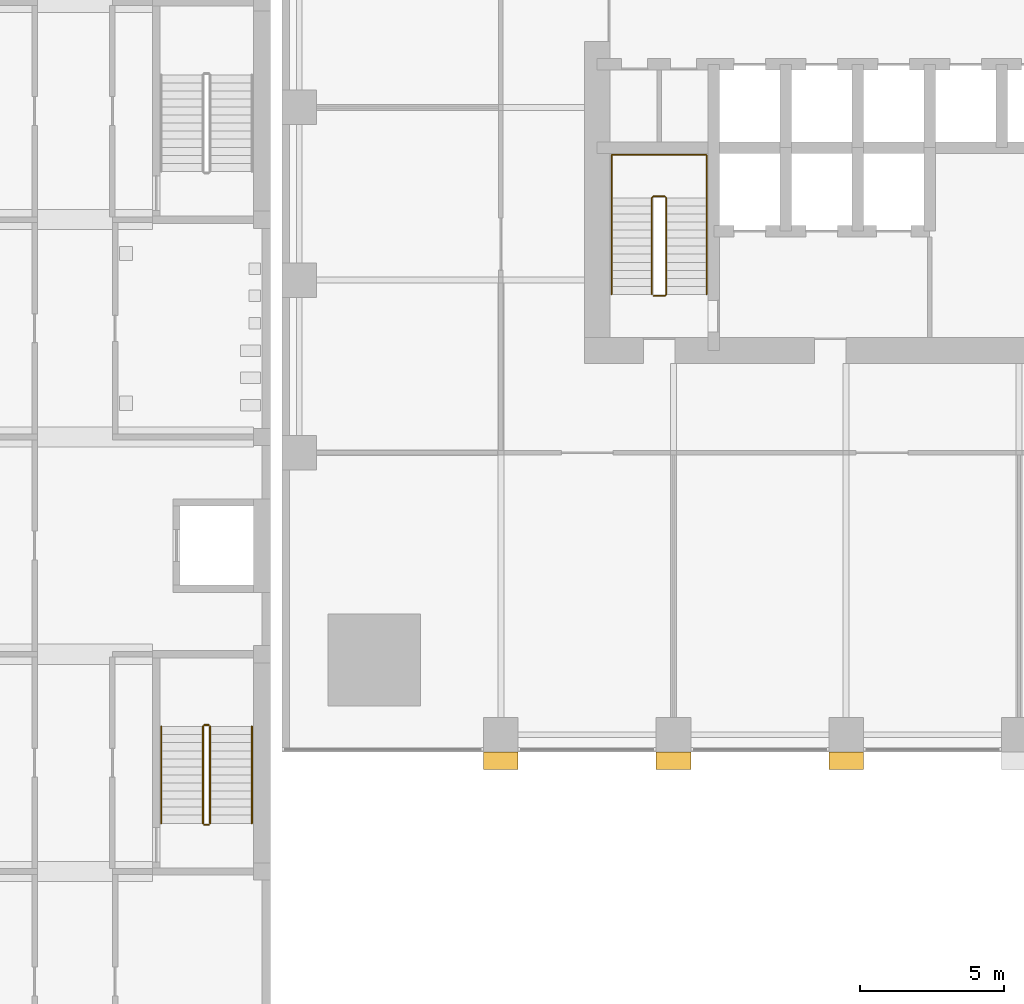
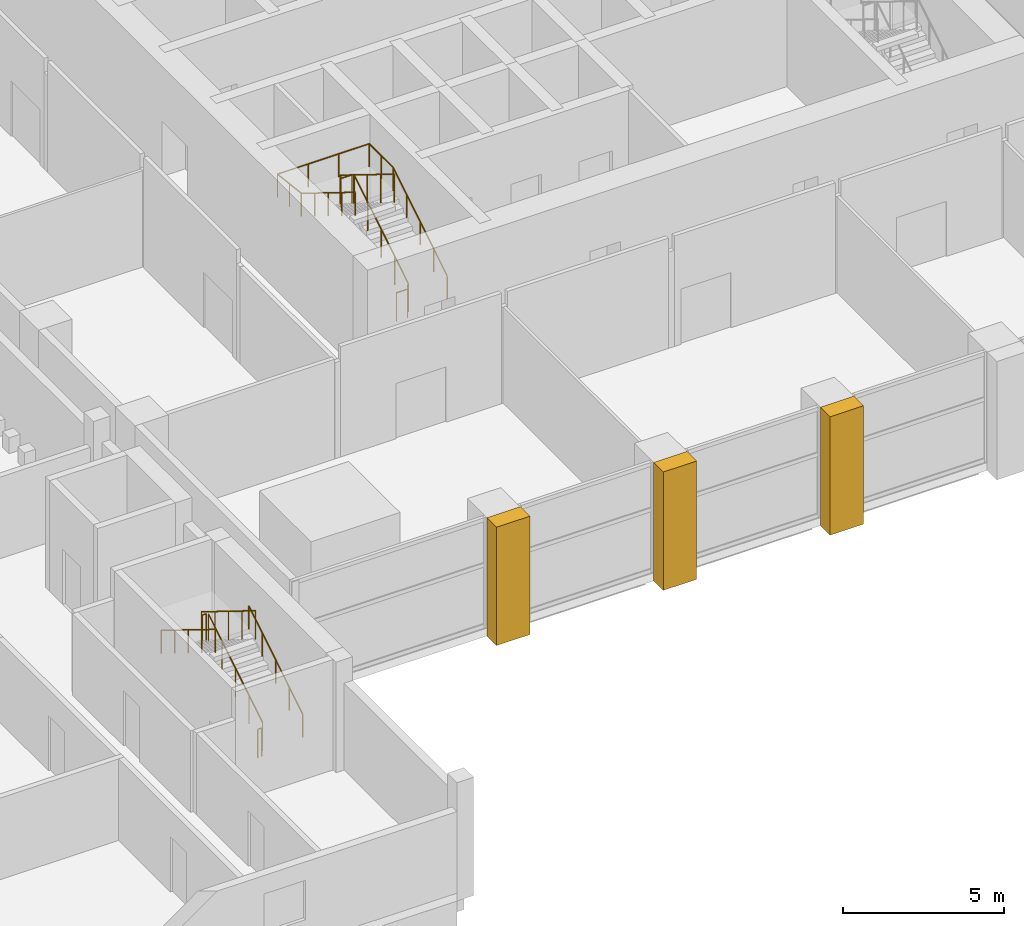
# One storey, part 29 of 34: 8 railings, 3 coverings.
"""IFC4 building model written with IfcOpenShell, lengths in metres."""

from ifc_helpers import new_model, si_unit, direction, frame, origin, origin_2d, place, context, subcontext, project, spatial, polyline, circle, outline, extrude, material, layer, layer_set, type_object, element, save


model = new_model("IFC4")

# Units and contexts
model_context = context("Model", 3, precision=1e-05, world=origin(), true_north=direction((0.0, 1.0)))
body_context = subcontext(model_context, "Body", "Model", "MODEL_VIEW")
ifc_project = project(units=[si_unit("LENGTHUNIT", "METRE"), si_unit("AREAUNIT", "SQUARE_METRE"), si_unit("VOLUMEUNIT", "CUBIC_METRE"), si_unit("PLANEANGLEUNIT", "RADIAN"), si_unit("MASSUNIT", "GRAM", prefix="KILO")], contexts=[model_context])

# Site, building, storey
site_placement = place(None, origin())
site = spatial("IfcSite", under=ifc_project, at=site_placement, CompositionType="ELEMENT")
building_placement = place(site_placement, origin())
building = spatial("IfcBuilding", under=site, at=building_placement, Name="Amberfall Residences", CompositionType="ELEMENT")
storey_placement = place(building_placement, frame((0.0, 0.0, 5.5)))
storey = spatial("IfcBuildingStorey", under=building, at=storey_placement, Name="L01", CompositionType="ELEMENT", Elevation=5.5)

# Coverings
ifc_material_1 = material(Name="Pale stone cladding on insulated backing", Category="masonry")
ifc_layer = layer(ifc_material_1, 1.199951171875)
ifc_layer_set = layer_set([ifc_layer], Name="Podium stone pier 1200 x 600")
covering_type = type_object("IfcCoveringType", Name="Podium stone pier 1200 x 600", PredefinedType="CLADDING", material=ifc_layer_set)
covering_1_placement = place(storey_placement, frame((0.0, 0.0, -0.300048828125)))
element("IfcCovering", 1, at=covering_1_placement, inside=storey, type_object=covering_type, Name="Podium pier L01 S1", PredefinedType="CLADDING", context=body_context, shape_type="SweptSolid", body=[
    extrude(outline(polyline([(59.0, 20.0), (60.199951171875, 20.0), (60.199951171875, 19.39990234375), (59.0, 19.39990234375), (59.0, 20.0)])), origin(), (0.0, 0.0, 1.0), 4.5),
])
covering_2_placement = place(storey_placement, frame((0.0, 0.0, -0.300048828125)))
element("IfcCovering", 2, at=covering_2_placement, inside=storey, type_object=covering_type, Name="Podium pier L01 S2", PredefinedType="CLADDING", context=body_context, shape_type="SweptSolid", body=[
    extrude(outline(polyline([(65.0, 20.0), (66.199951171875, 20.0), (66.199951171875, 19.39990234375), (65.0, 19.39990234375), (65.0, 20.0)])), origin(), (0.0, 0.0, 1.0), 4.5),
])
covering_3_placement = place(storey_placement, frame((0.0, 0.0, -0.300048828125)))
element("IfcCovering", 3, at=covering_3_placement, inside=storey, type_object=covering_type, Name="Podium pier L01 S3", PredefinedType="CLADDING", context=body_context, shape_type="SweptSolid", body=[
    extrude(outline(polyline([(71.0, 20.0), (72.199951171875, 20.0), (72.199951171875, 19.39990234375), (71.0, 19.39990234375), (71.0, 20.0)])), origin(), (0.0, 0.0, 1.0), 4.5),
])

# Railings
ifc_material_2 = material(Name="Stainless steel", Category="steel")
railing_type_1 = type_object("IfcRailingType", Name="School stair guard 1100", PredefinedType="GUARDRAIL", material=ifc_material_2)
railing_1_placement = place(storey_placement, frame((49.5, 17.52490234375, 0.173095703125)))
element("IfcRailing", 4, at=railing_1_placement, inside=storey, type_object=railing_type_1, Name="L01 SS1 stair guard 1", PredefinedType="GUARDRAIL", context=body_context, shape_type="SweptSolid", body=[
    extrude(circle(Radius=0.02392578125, at=origin_2d()), frame((0.0, 0.0, 1.076171875), z_axis=(0.0, 0.850623216509, 0.525775754039), x_axis=(-1.0, 0.0, 0.0)), (0.0, 0.0, 1.0), 3.9501953125),
    extrude(circle(Radius=0.02099609375, at=origin_2d()), origin(), (0.0, 0.0, 1.0), 1.052001953125),
    extrude(circle(Radius=0.02099609375, at=origin_2d()), frame((0.0, 0.840087890625, 0.519287109375)), (0.0, 0.0, 1.0), 1.052001953125),
    extrude(circle(Radius=0.02099609375, at=origin_2d()), frame((0.0, 1.68017578125, 1.03857421875)), (0.0, 0.0, 1.0), 1.052001953125),
    extrude(circle(Radius=0.02099609375, at=origin_2d()), frame((0.0, 2.52001953125, 1.5576171875)), (0.0, 0.0, 1.0), 1.052001953125),
    extrude(circle(Radius=0.02099609375, at=origin_2d()), frame((0.0, 3.360107421875, 2.076904296875)), (0.0, 0.0, 1.0), 1.052001953125),
])
railing_2_placement = place(storey_placement, frame((49.449951171875, 20.93505859375, 2.25)))
element("IfcRailing", 5, at=railing_2_placement, inside=storey, type_object=railing_type_1, Name="L01 SS1 stair guard 2", PredefinedType="GUARDRAIL", context=body_context, shape_type="SweptSolid", body=[
    extrude(circle(Radius=0.02392578125, at=origin_2d()), frame((0.0, 0.0, 1.076171875), z_axis=(-1.0, 0.0, 0.0), x_axis=(0.0, -1.0, 0.0)), (0.0, 0.0, 1.0), 0.14990234375),
    extrude(circle(Radius=0.02099609375, at=origin_2d()), origin(), (0.0, 0.0, 1.0), 1.052001953125),
    extrude(circle(Radius=0.02099609375, at=origin_2d()), frame((-0.14990234375, 0.0, 0.0)), (0.0, 0.0, 1.0), 1.052001953125),
])
railing_3_placement = place(storey_placement, frame((49.25, 20.885009765625, 2.423095703125)))
element("IfcRailing", 6, at=railing_3_placement, inside=storey, type_object=railing_type_1, Name="L01 SS1 stair guard 3", PredefinedType="GUARDRAIL", context=body_context, shape_type="SweptSolid", body=[
    extrude(circle(Radius=0.02392578125, at=origin_2d()), frame((0.0, 0.0, 1.076171875), z_axis=(0.0, -0.850623216509, 0.525775754039), x_axis=(1.0, 0.0, 0.0)), (0.0, 0.0, 1.0), 3.9501953125),
    extrude(circle(Radius=0.02099609375, at=origin_2d()), origin(), (0.0, 0.0, 1.0), 1.052001953125),
    extrude(circle(Radius=0.02099609375, at=origin_2d()), frame((0.0, -0.840087890625, 0.519287109375)), (0.0, 0.0, 1.0), 1.052001953125),
    extrude(circle(Radius=0.02099609375, at=origin_2d()), frame((0.0, -1.68017578125, 1.03857421875)), (0.0, 0.0, 1.0), 1.052001953125),
    extrude(circle(Radius=0.02099609375, at=origin_2d()), frame((0.0, -2.52001953125, 1.5576171875)), (0.0, 0.0, 1.0), 1.052001953125),
    extrude(circle(Radius=0.02099609375, at=origin_2d()), frame((0.0, -3.360107421875, 2.076904296875)), (0.0, 0.0, 1.0), 1.052001953125),
])
railing_4_placement = place(storey_placement, frame((49.449951171875, 17.47509765625, 0.0)))
element("IfcRailing", 7, at=railing_4_placement, inside=storey, type_object=railing_type_1, Name="L01 SS1 stair guard 4", PredefinedType="GUARDRAIL", context=body_context, shape_type="SweptSolid", body=[
    extrude(circle(Radius=0.02392578125, at=origin_2d()), frame((0.0, 0.0, 1.076171875), z_axis=(-1.0, 0.0, 0.0), x_axis=(0.0, -1.0, 0.0)), (0.0, 0.0, 1.0), 0.14990234375),
    extrude(circle(Radius=0.02099609375, at=origin_2d()), origin(), (0.0, 0.0, 1.0), 1.052001953125),
    extrude(circle(Radius=0.02099609375, at=origin_2d()), frame((-0.14990234375, 0.0, 0.0)), (0.0, 0.0, 1.0), 1.052001953125),
])
railing_type_2 = type_object("IfcRailingType", Name="School stair handrail", PredefinedType="HANDRAIL", material=ifc_material_2)
railing_5_placement = place(storey_placement, frame((50.949951171875, 17.52490234375, 0.173095703125)))
element("IfcRailing", 8, at=railing_5_placement, inside=storey, type_object=railing_type_2, Name="L01 SS1 stair handrail 1", PredefinedType="HANDRAIL", context=body_context, shape_type="SweptSolid", body=[
    extrude(circle(Radius=0.02392578125, at=origin_2d()), frame((0.0, 0.0, 0.8759765625), z_axis=(0.0, 0.850623216509, 0.525775754039), x_axis=(-1.0, 0.0, 0.0)), (0.0, 0.0, 1.0), 3.9501953125),
    extrude(circle(Radius=0.02099609375, at=origin_2d()), origin(), (0.0, 0.0, 1.0), 0.851806640625),
    extrude(circle(Radius=0.02099609375, at=origin_2d()), frame((0.0, 0.840087890625, 0.519287109375)), (0.0, 0.0, 1.0), 0.851806640625),
    extrude(circle(Radius=0.02099609375, at=origin_2d()), frame((0.0, 1.68017578125, 1.03857421875)), (0.0, 0.0, 1.0), 0.851806640625),
    extrude(circle(Radius=0.02099609375, at=origin_2d()), frame((0.0, 2.52001953125, 1.5576171875)), (0.0, 0.0, 1.0), 0.851806640625),
    extrude(circle(Radius=0.02099609375, at=origin_2d()), frame((0.0, 3.360107421875, 2.076904296875)), (0.0, 0.0, 1.0), 0.851806640625),
])
railing_6_placement = place(storey_placement, frame((47.800048828125, 20.885009765625, 2.423095703125)))
element("IfcRailing", 9, at=railing_6_placement, inside=storey, type_object=railing_type_2, Name="L01 SS1 stair handrail 2", PredefinedType="HANDRAIL", context=body_context, shape_type="SweptSolid", body=[
    extrude(circle(Radius=0.02392578125, at=origin_2d()), frame((0.0, 0.0, 0.8759765625), z_axis=(0.0, -0.850623216509, 0.525775754039), x_axis=(1.0, 0.0, 0.0)), (0.0, 0.0, 1.0), 3.9501953125),
    extrude(circle(Radius=0.02099609375, at=origin_2d()), origin(), (0.0, 0.0, 1.0), 0.851806640625),
    extrude(circle(Radius=0.02099609375, at=origin_2d()), frame((0.0, -0.840087890625, 0.519287109375)), (0.0, 0.0, 1.0), 0.851806640625),
    extrude(circle(Radius=0.02099609375, at=origin_2d()), frame((0.0, -1.68017578125, 1.03857421875)), (0.0, 0.0, 1.0), 0.851806640625),
    extrude(circle(Radius=0.02099609375, at=origin_2d()), frame((0.0, -2.52001953125, 1.5576171875)), (0.0, 0.0, 1.0), 0.851806640625),
    extrude(circle(Radius=0.02099609375, at=origin_2d()), frame((0.0, -3.360107421875, 2.076904296875)), (0.0, 0.0, 1.0), 0.851806640625),
])
ifc_material_3 = material(Name="Stainless steel 316", Category="steel")
railing_type_3 = type_object("IfcRailingType", Name="Stair guard 1100", PredefinedType="GUARDRAIL", material=ifc_material_3)
railing_7_placement = place(storey_placement, frame((64.89990234375, 35.85009765625, 0.0)))
element("IfcRailing", 10, at=railing_7_placement, inside=storey, type_object=railing_type_3, Name="L01 stair 1 guard", PredefinedType="GUARDRAIL", context=body_context, shape_type="SweptSolid", body=[
    extrude(circle(Radius=0.02392578125, at=origin_2d()), frame((0.0, 0.0, 1.076171875), z_axis=(1.0, 0.0, 0.0), x_axis=(0.0, 1.0, 0.0)), (0.0, 0.0, 1.0), 0.400146484375),
    extrude(circle(Radius=0.02392578125, at=origin_2d()), frame((0.400146484375, 0.0, 1.076171875), z_axis=(0.267723051232, 0.266417085129, 0.925929967433), x_axis=(-0.705375805398, 0.708833529934, 0.0)), (0.0, 0.0, 1.0), 0.18701171875),
    extrude(circle(Radius=0.02392578125, at=origin_2d()), frame((0.4501953125, 0.0498046875, 1.2490234375), z_axis=(0.0, 0.850623216509, 0.525775754039), x_axis=(-1.0, 0.0, 0.0)), (0.0, 0.0, 1.0), 3.9501953125),
    extrude(circle(Radius=0.02392578125, at=origin_2d()), frame((0.4501953125, 3.409912109375, 3.326171875), z_axis=(-0.707106781187, 0.707106781187, 0.0), x_axis=(-0.707106781187, -0.707106781187, 0.0)), (0.0, 0.0, 1.0), 0.07080078125),
    extrude(circle(Radius=0.02392578125, at=origin_2d()), frame((0.400146484375, 3.4599609375, 3.326171875), z_axis=(-1.0, 0.0, 0.0), x_axis=(0.0, -1.0, 0.0)), (0.0, 0.0, 1.0), 0.400146484375),
    extrude(circle(Radius=0.02392578125, at=origin_2d()), frame((0.0, 3.4599609375, 3.326171875), z_axis=(-0.266417085129, -0.267723051232, 0.925929967433), x_axis=(0.708833529934, -0.705375805398, 0.0)), (0.0, 0.0, 1.0), 0.18701171875),
    extrude(circle(Radius=0.02392578125, at=origin_2d()), frame((-0.0498046875, 3.409912109375, 3.4990234375), z_axis=(0.0, -0.850623216509, 0.525775754039), x_axis=(1.0, 0.0, 0.0)), (0.0, 0.0, 1.0), 3.9501953125),
    extrude(circle(Radius=0.02099609375, at=origin_2d()), origin(), (0.0, 0.0, 1.0), 1.052001953125),
    extrude(circle(Radius=0.02099609375, at=origin_2d()), frame((0.400146484375, 0.0, 0.0)), (0.0, 0.0, 1.0), 1.052001953125),
    extrude(circle(Radius=0.02099609375, at=origin_2d()), frame((0.4501953125, 0.0498046875, 0.173095703125)), (0.0, 0.0, 1.0), 1.052001953125),
    extrude(circle(Radius=0.02099609375, at=origin_2d()), frame((0.4501953125, 0.889892578125, 0.6923828125)), (0.0, 0.0, 1.0), 1.052001953125),
    extrude(circle(Radius=0.02099609375, at=origin_2d()), frame((0.4501953125, 1.72998046875, 1.21142578125)), (0.0, 0.0, 1.0), 1.052001953125),
    extrude(circle(Radius=0.02099609375, at=origin_2d()), frame((0.4501953125, 2.56982421875, 1.730712890625)), (0.0, 0.0, 1.0), 1.052001953125),
    extrude(circle(Radius=0.02099609375, at=origin_2d()), frame((0.4501953125, 3.409912109375, 2.25)), (0.0, 0.0, 1.0), 1.052001953125),
    extrude(circle(Radius=0.02099609375, at=origin_2d()), frame((0.400146484375, 3.4599609375, 2.25)), (0.0, 0.0, 1.0), 1.052001953125),
    extrude(circle(Radius=0.02099609375, at=origin_2d()), frame((0.0, 3.4599609375, 2.25)), (0.0, 0.0, 1.0), 1.052001953125),
    extrude(circle(Radius=0.02099609375, at=origin_2d()), frame((-0.0498046875, 3.409912109375, 2.423095703125)), (0.0, 0.0, 1.0), 1.052001953125),
    extrude(circle(Radius=0.02099609375, at=origin_2d()), frame((-0.0498046875, 2.56982421875, 2.9423828125)), (0.0, 0.0, 1.0), 1.052001953125),
    extrude(circle(Radius=0.02099609375, at=origin_2d()), frame((-0.0498046875, 1.72998046875, 3.46142578125)), (0.0, 0.0, 1.0), 1.052001953125),
    extrude(circle(Radius=0.02099609375, at=origin_2d()), frame((-0.0498046875, 0.889892578125, 3.980712890625)), (0.0, 0.0, 1.0), 1.052001953125),
    extrude(circle(Radius=0.02099609375, at=origin_2d()), frame((-0.0498046875, 0.0498046875, 4.5)), (0.0, 0.0, 1.0), 1.052001953125),
])
railing_type_4 = type_object("IfcRailingType", Name="Stair handrail 900", PredefinedType="HANDRAIL", material=ifc_material_3)
railing_8_placement = place(storey_placement, frame((66.75, 35.89990234375, 0.173095703125)))
element("IfcRailing", 11, at=railing_8_placement, inside=storey, type_object=railing_type_4, Name="L01 stair 1 handrail", PredefinedType="HANDRAIL", context=body_context, shape_type="SweptSolid", body=[
    extrude(circle(Radius=0.02392578125, at=origin_2d()), frame((0.0, 0.0, 0.8759765625), z_axis=(0.0, 0.850623216509, 0.525775754039), x_axis=(-1.0, 0.0, 0.0)), (0.0, 0.0, 1.0), 3.9501953125),
    extrude(circle(Radius=0.02392578125, at=origin_2d()), frame((0.0, 3.360107421875, 2.95263671875), z_axis=(0.0, 1.0, 0.0), x_axis=(-1.0, 0.0, 0.0)), (0.0, 0.0, 1.0), 1.489990234375),
    extrude(circle(Radius=0.02392578125, at=origin_2d()), frame((0.0, 4.85009765625, 2.95263671875), z_axis=(-1.0, 0.0, 0.0), x_axis=(0.0, -1.0, 0.0)), (0.0, 0.0, 1.0), 3.300048828125),
    extrude(circle(Radius=0.02392578125, at=origin_2d()), frame((-3.300048828125, 4.85009765625, 2.95263671875), z_axis=(0.0, -0.993319533971, 0.115396288642), x_axis=(1.0, 0.0, 0.0)), (0.0, 0.0, 1.0), 1.5),
    extrude(circle(Radius=0.02392578125, at=origin_2d()), frame((-3.300048828125, 3.360107421875, 3.1259765625), z_axis=(0.0, -0.850623216509, 0.525775754039), x_axis=(1.0, 0.0, 0.0)), (0.0, 0.0, 1.0), 3.9501953125),
    extrude(circle(Radius=0.02099609375, at=origin_2d()), origin(), (0.0, 0.0, 1.0), 0.851806640625),
    extrude(circle(Radius=0.02099609375, at=origin_2d()), frame((0.0, 0.840087890625, 0.519287109375)), (0.0, 0.0, 1.0), 0.851806640625),
    extrude(circle(Radius=0.02099609375, at=origin_2d()), frame((0.0, 1.68017578125, 1.03857421875)), (0.0, 0.0, 1.0), 0.851806640625),
    extrude(circle(Radius=0.02099609375, at=origin_2d()), frame((0.0, 2.52001953125, 1.5576171875)), (0.0, 0.0, 1.0), 0.851806640625),
    extrude(circle(Radius=0.02099609375, at=origin_2d()), frame((0.0, 3.360107421875, 2.076904296875)), (0.0, 0.0, 1.0), 0.851806640625),
    extrude(circle(Radius=0.02099609375, at=origin_2d()), frame((0.0, 4.10498046875, 2.076904296875)), (0.0, 0.0, 1.0), 0.851806640625),
    extrude(circle(Radius=0.02099609375, at=origin_2d()), frame((0.0, 4.85009765625, 2.076904296875)), (0.0, 0.0, 1.0), 0.851806640625),
    extrude(circle(Radius=0.02099609375, at=origin_2d()), frame((-1.10009765625, 4.85009765625, 2.076904296875)), (0.0, 0.0, 1.0), 0.851806640625),
    extrude(circle(Radius=0.02099609375, at=origin_2d()), frame((-2.199951171875, 4.85009765625, 2.076904296875)), (0.0, 0.0, 1.0), 0.851806640625),
    extrude(circle(Radius=0.02099609375, at=origin_2d()), frame((-3.300048828125, 4.85009765625, 2.076904296875)), (0.0, 0.0, 1.0), 0.851806640625),
    extrude(circle(Radius=0.02099609375, at=origin_2d()), frame((-3.300048828125, 4.10498046875, 2.16357421875)), (0.0, 0.0, 1.0), 0.851806640625),
    extrude(circle(Radius=0.02099609375, at=origin_2d()), frame((-3.300048828125, 3.360107421875, 2.25)), (0.0, 0.0, 1.0), 0.851806640625),
    extrude(circle(Radius=0.02099609375, at=origin_2d()), frame((-3.300048828125, 2.52001953125, 2.769287109375)), (0.0, 0.0, 1.0), 0.851806640625),
    extrude(circle(Radius=0.02099609375, at=origin_2d()), frame((-3.300048828125, 1.68017578125, 3.28857421875)), (0.0, 0.0, 1.0), 0.851806640625),
    extrude(circle(Radius=0.02099609375, at=origin_2d()), frame((-3.300048828125, 0.840087890625, 3.8076171875)), (0.0, 0.0, 1.0), 0.851806640625),
    extrude(circle(Radius=0.02099609375, at=origin_2d()), frame((-3.300048828125, 0.0, 4.326904296875)), (0.0, 0.0, 1.0), 0.851806640625),
])

save(model, "model.ifc")
